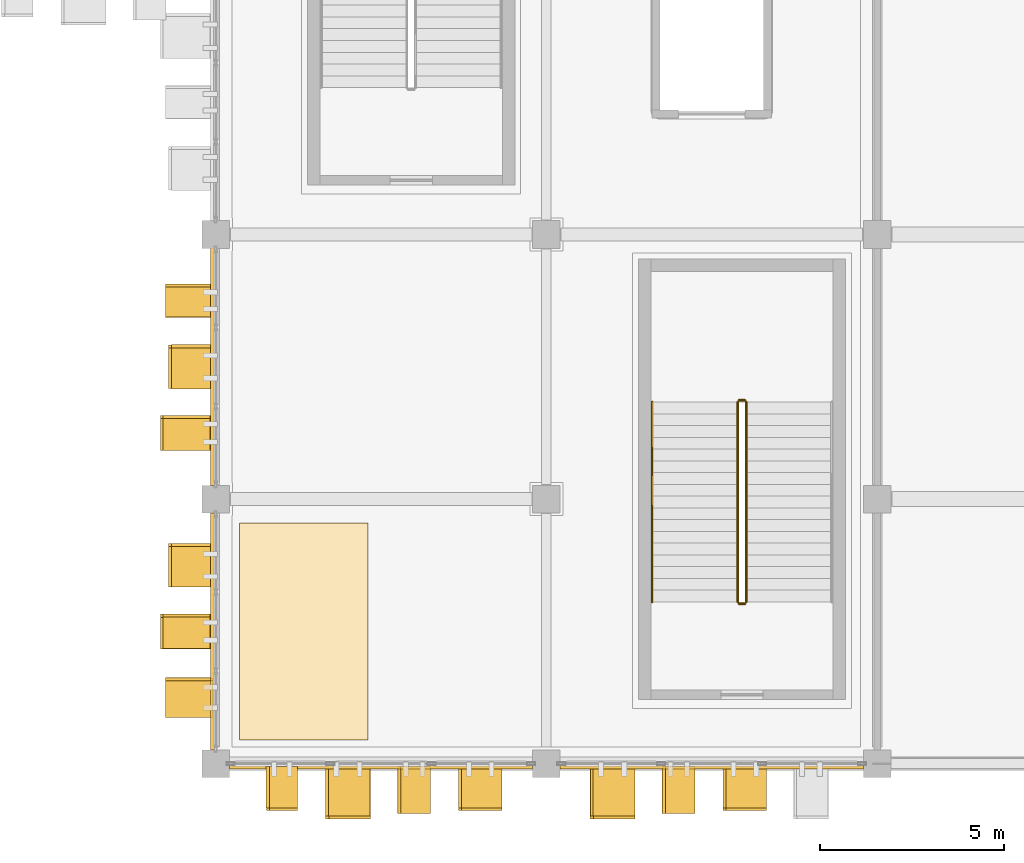
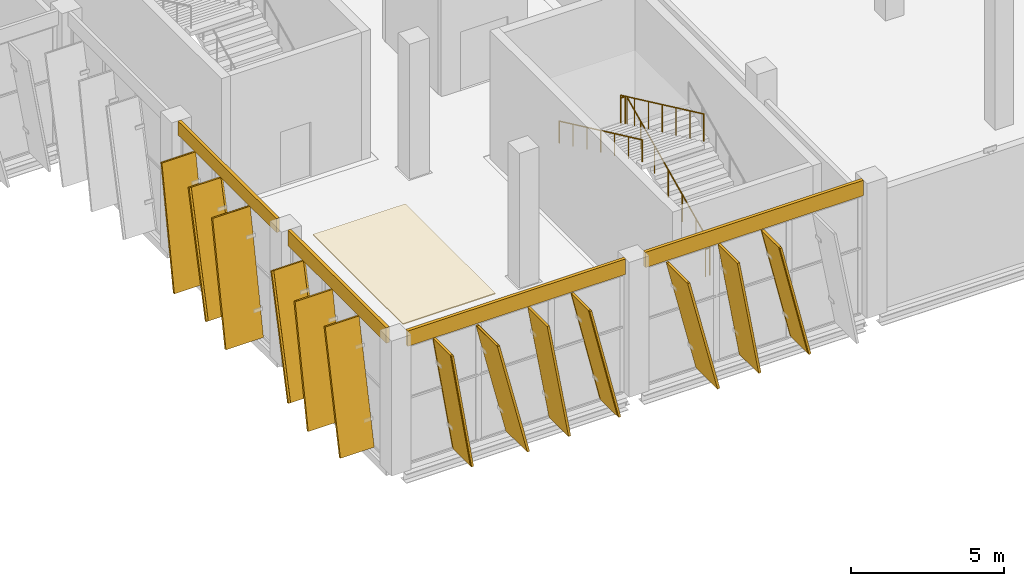
# One storey, part 164 of 189: 18 coverings, 13 shading devices, 5 railings.
"""IFC4 building model written with IfcOpenShell, lengths in metres."""

import ifcopenshell
import ifcopenshell.guid

model = None  # the IFC model being written
_history = None  # IfcOwnerHistory: only IFC2X3 demands one
_inside = {}  # id of a spatial element -> (the spatial element, [elements in it])
_under = {}  # id of a project, library or spatial element -> (it, [spatial elements below it])
_declared = {}  # id of a project -> (the project, [libraries it declares])
_typed = {}  # id of a type object -> (the type object, [elements of that type])
_made_of = {}  # id of a material, layer set ... -> (it, [elements and type objects made of it])


def new_model(schema):
    """Start an empty IFC model of exactly this schema.

    Asked for "IFC4X3", IfcOpenShell would pick the latest addendum, in which some entities
    have other attributes; the version numbers below select the first issue.
    IFC2X3 requires an IfcOwnerHistory on every rooted entity: one is made here for all.
    """
    global model, _history
    if schema == "IFC4X3":
        model = ifcopenshell.file(schema_version=(4, 3, 0, 0))
    else:
        model = ifcopenshell.file(schema=schema)
    _inside.clear()
    _under.clear()
    _declared.clear()
    _typed.clear()
    _made_of.clear()
    _history = None
    if model.schema == "IFC2X3":
        org = make("IfcOrganization", Name="unknown")
        user = make(
            "IfcPersonAndOrganization",
            ThePerson=make("IfcPerson", FamilyName="unknown"),
            TheOrganization=org,
        )
        app = make(
            "IfcApplication",
            ApplicationDeveloper=org,
            Version="unknown",
            ApplicationFullName="unknown",
            ApplicationIdentifier="unknown",
        )
        _history = make(
            "IfcOwnerHistory",
            OwningUser=user,
            OwningApplication=app,
            ChangeAction="ADDED",
            CreationDate=0,
        )
    return model


def make(cls, **values):
    """One entity of the class cls with the attributes given. An attribute that is None is left unset."""
    return model.create_entity(
        cls, **{name: value for name, value in values.items() if value is not None}
    )


def rooted(cls, **values):
    """An entity with a GlobalId (a new one), such as an element, a storey or a relation."""
    return make(cls, GlobalId=ifcopenshell.guid.new(), OwnerHistory=_history, **values)


def si_unit(unit_type, name, prefix=None):
    """IfcSIUnit, for example si_unit("LENGTHUNIT", "METRE", prefix="MILLI")."""
    return make("IfcSIUnit", UnitType=unit_type, Prefix=prefix, Name=name)


def assignment(units):
    """IfcUnitAssignment: the units of a project."""
    return None if units is None else make("IfcUnitAssignment", Units=units)


def point(xyz):
    """IfcCartesianPoint."""
    return None if xyz is None else make("IfcCartesianPoint", Coordinates=xyz)


def direction(xyz):
    """IfcDirection."""
    return None if xyz is None else make("IfcDirection", DirectionRatios=xyz)


def frame(location, z_axis=None, x_axis=None):
    """IfcAxis2Placement3D, a coordinate frame: its origin and axes. An axis left out is left unset."""
    return make(
        "IfcAxis2Placement3D",
        Location=point(location),
        Axis=direction(z_axis),
        RefDirection=direction(x_axis),
    )


def frame_2d(location, x_axis=None):
    """IfcAxis2Placement2D, a coordinate frame in the plane: its origin and x axis."""
    return make(
        "IfcAxis2Placement2D", Location=point(location), RefDirection=direction(x_axis)
    )


def origin():
    """The frame at (0, 0, 0) with its axes left unset."""
    return frame((0.0, 0.0, 0.0))


def origin_2d():
    """The frame at (0, 0) in the plane with its x axis left unset."""
    return frame_2d((0.0, 0.0))


def place(relative_to, where):
    """IfcLocalPlacement: puts the frame where relative to a parent placement (None: the world)."""
    return make(
        "IfcLocalPlacement", PlacementRelTo=relative_to, RelativePlacement=where
    )


def context(
    kind, dimensions, precision=None, world=None, true_north=None, identifier=None
):
    """IfcGeometricRepresentationContext, for example the 3D "Model" context."""
    return make(
        "IfcGeometricRepresentationContext",
        ContextIdentifier=identifier,
        ContextType=kind,
        CoordinateSpaceDimension=dimensions,
        Precision=precision,
        WorldCoordinateSystem=world,
        TrueNorth=true_north,
    )


def subcontext(parent, identifier, kind, view, scale=None):
    """IfcGeometricRepresentationSubContext, for example "Body" below "Model"."""
    return make(
        "IfcGeometricRepresentationSubContext",
        ContextIdentifier=identifier,
        ContextType=kind,
        ParentContext=parent,
        TargetScale=scale,
        TargetView=view,
    )


def project(units=None, contexts=None):
    """IfcProject with its units and contexts."""
    return rooted(
        "IfcProject",
        Name="project",
        RepresentationContexts=contexts,
        UnitsInContext=assignment(units),
    )


def spatial(cls, under=None, at=None, **own):
    """A site, building, storey or space (cls), placed at a placement, below another one or the project."""
    s = rooted(cls, ObjectPlacement=at, **own)
    if under is not None:
        _under.setdefault(under.id(), (under, []))[1].append(s)
    return s


def polyline(points):
    """IfcPolyline through the points."""
    return make("IfcPolyline", Points=[point(p) for p in points])


def profile(cls, at=None, kind="AREA", **sizes):
    """A parametric profile (cls). Its sizes go by their IFC names, for example OverallWidth=200.0."""
    return make(cls, ProfileType=kind, Position=at, **sizes)


def rectangle(**sizes):
    """IfcRectangleProfileDef."""
    return profile("IfcRectangleProfileDef", **sizes)


def circle(**sizes):
    """IfcCircleProfileDef."""
    return profile("IfcCircleProfileDef", **sizes)


def outline(outer, holes=None, kind="AREA"):
    """IfcArbitraryClosedProfileDef: a profile drawn as a closed curve; with holes, ...WithVoids."""
    if holes is None:
        return make("IfcArbitraryClosedProfileDef", ProfileType=kind, OuterCurve=outer)
    return make(
        "IfcArbitraryProfileDefWithVoids",
        ProfileType=kind,
        OuterCurve=outer,
        InnerCurves=holes,
    )


def extrude(swept, where, along, depth):
    """IfcExtrudedAreaSolid: the profile swept, set in the frame where, extruded along a direction by depth."""
    return make(
        "IfcExtrudedAreaSolid",
        SweptArea=swept,
        Position=where,
        ExtrudedDirection=direction(along),
        Depth=depth,
    )


def shape(context_of_items, identifier, shape_type, items):
    """IfcShapeRepresentation: the items that make up one representation, for example the "Body"."""
    return make(
        "IfcShapeRepresentation",
        ContextOfItems=context_of_items,
        RepresentationIdentifier=identifier,
        RepresentationType=shape_type,
        Items=items,
    )


def material(Name=None, Category=None):
    """IfcMaterial."""
    return make("IfcMaterial", Name=Name, Category=Category)


def layer(
    of_material, thickness, ventilated=None, Name=None, Category=None, Priority=None
):
    """IfcMaterialLayer: one layer of a wall or slab, of a material (None: an air gap)."""
    return make(
        "IfcMaterialLayer",
        Material=of_material,
        LayerThickness=thickness,
        IsVentilated=ventilated,
        Name=Name,
        Category=Category,
        Priority=Priority,
    )


def layer_set(layers, Name=None):
    """IfcMaterialLayerSet."""
    return make("IfcMaterialLayerSet", MaterialLayers=layers, LayerSetName=Name)


def material_profile(
    of_material, cross_section, Name=None, Category=None, Priority=None
):
    """IfcMaterialProfile: a cross section and its material."""
    return make(
        "IfcMaterialProfile",
        Name=Name,
        Material=of_material,
        Profile=cross_section,
        Priority=Priority,
        Category=Category,
    )


def profile_set(profiles, Name=None, composite=None):
    """IfcMaterialProfileSet."""
    return make(
        "IfcMaterialProfileSet",
        Name=Name,
        MaterialProfiles=profiles,
        CompositeProfile=composite,
    )


def made_of(thing, what):
    """Note that an element or type object is made of a material, layer set ...; save() writes the relation."""
    if what is not None:
        _made_of.setdefault(what.id(), (what, []))[1].append(thing)
    return thing


def type_object(cls, material=None, **own):
    """A type object (cls), such as IfcWallType, which elements share."""
    return made_of(rooted(cls, **own), material)


def element(
    cls,
    number,
    at=None,
    inside=None,
    cuts=None,
    type_object=None,
    material=None,
    context=None,
    identifier="Body",
    shape_type=None,
    held_by="IfcProductDefinitionShape",
    body=None,
    shapes=None,
    **own,
):
    """One element of the class cls, such as IfcWall. Its Tag is "e" and its number.

    at: its placement. inside: the storey or other place that contains it. cuts: it is an
    opening in that element (IfcRelVoidsElement). A single representation is given by context,
    identifier, shape_type and body (its items); several are given by shapes. held_by: the class
    of the entity that holds the representations. save() writes the other relations.
    """
    e = rooted(cls, Tag="e%d" % number, ObjectPlacement=at, **own)
    if body is not None:
        shapes = [shape(context, identifier, shape_type, body)]
    if shapes is not None:
        e.Representation = make(held_by, Representations=shapes)
    if inside is not None:
        _inside.setdefault(inside.id(), (inside, []))[1].append(e)
    if cuts is not None:
        rooted(
            "IfcRelVoidsElement", RelatingBuildingElement=cuts, RelatedOpeningElement=e
        )
    if type_object is not None:
        _typed.setdefault(type_object.id(), (type_object, []))[1].append(e)
    return made_of(e, material)


def aggregate(whole, parts):
    """IfcRelAggregates: a whole, such as a stair, and the parts it consists of."""
    return rooted("IfcRelAggregates", RelatingObject=whole, RelatedObjects=parts)


def save(model, path):
    """Write the relations noted so far, then the file.

    IfcRelAggregates (storeys below a building ...), IfcRelContainedInSpatialStructure (elements
    in a storey), IfcRelDefinesByType, IfcRelAssociatesMaterial and IfcRelDeclares: one each for
    every whole, place, type object, material and project.
    """
    for whole, parts in _under.values():
        aggregate(whole, parts)
    for where, things in _inside.values():
        rooted(
            "IfcRelContainedInSpatialStructure",
            RelatedElements=things,
            RelatingStructure=where,
        )
    for kind, things in _typed.values():
        rooted("IfcRelDefinesByType", RelatedObjects=things, RelatingType=kind)
    for what, things in _made_of.values():
        rooted("IfcRelAssociatesMaterial", RelatedObjects=things, RelatingMaterial=what)
    for by, libraries in _declared.values():
        rooted("IfcRelDeclares", RelatingContext=by, RelatedDefinitions=libraries)
    model.write(path)


model = new_model("IFC4")

# Units and contexts
model_context = context("Model", 3, precision=1e-05, world=origin(), true_north=direction((0.0, 1.0)))
body_context = subcontext(model_context, "Body", "Model", "MODEL_VIEW")
ifc_project = project(units=[si_unit("LENGTHUNIT", "METRE"), si_unit("AREAUNIT", "SQUARE_METRE"), si_unit("VOLUMEUNIT", "CUBIC_METRE"), si_unit("PLANEANGLEUNIT", "RADIAN"), si_unit("MASSUNIT", "GRAM", prefix="KILO")], contexts=[model_context])

# Site, building, storey
site_placement = place(None, origin())
site = spatial("IfcSite", under=ifc_project, at=site_placement, CompositionType="ELEMENT")
building_placement = place(site_placement, origin())
building = spatial("IfcBuilding", under=site, at=building_placement, Name="Celestram Park Convention Centre", CompositionType="ELEMENT")
storey_placement = place(building_placement, frame((0.0, 0.0, 5.39990234375)))
storey = spatial("IfcBuildingStorey", under=building, at=storey_placement, Name="L01", CompositionType="ELEMENT", Elevation=5.39990234375)

# Coverings
ifc_material_1 = material(Name="Anodised Bronze Aluminium Spandrel Cladding", Category="aluminium")
ifc_layer_1 = layer(ifc_material_1, 0.050048828125)
ifc_layer_set_1 = layer_set([ifc_layer_1], Name="Anodised Bronze Aluminium Spandrel Cladding")
covering_type_1 = type_object("IfcCoveringType", Name="ARC-COV-CLD060", PredefinedType="CLADDING", material=ifc_layer_set_1)
covering_1_placement = place(storey_placement, frame((143.919921875, 3.60009765625, 4.7841796875), z_axis=(0.0, 0.0, 1.0), x_axis=(0.0, 1.0, 0.0)))
element("IfcCovering", 1, at=covering_1_placement, inside=storey, type_object=covering_type_1, Name="Bronze spandrel cladding CL-L01-038", PredefinedType="CLADDING", context=body_context, shape_type="SweptSolid", body=[
    extrude(rectangle(XDim=6.4541015625, YDim=0.1201171875, at=origin_2d()), origin(), (0.0, 0.0, 1.0), 0.615966796875),
])
covering_2_placement = place(storey_placement, frame((143.919921875, 10.800048828125, 4.840087890625), z_axis=(0.0, 0.0, 1.0), x_axis=(0.0, 1.0, 0.0)))
element("IfcCovering", 2, at=covering_2_placement, inside=storey, type_object=covering_type_1, Name="Bronze spandrel cladding CL-L01-039", PredefinedType="CLADDING", context=body_context, shape_type="SweptSolid", body=[
    extrude(rectangle(XDim=6.4541015625, YDim=0.1201171875, at=origin_2d()), origin(), (0.0, 0.0, 1.0), 0.56005859375),
])
for number, where, z_axis, x_axis, name in (
    (3, (157.5, -0.080078125, 4.7841796875), (0.0, 0.0, 1.0), (-1.0, 0.0, 0.0), "Bronze spandrel cladding CL-L01-111"),
    (4, (148.5, -0.080078125, 4.7841796875), (0.0, 0.0, 1.0), (-1.0, 0.0, 0.0), "Bronze spandrel cladding CL-L01-112"),
):
    element("IfcCovering", number, at=place(storey_placement, frame(where, z_axis=z_axis, x_axis=x_axis)), inside=storey, type_object=covering_type_1, Name=name, PredefinedType="CLADDING", context=body_context, shape_type="SweptSolid", body=[
        extrude(rectangle(XDim=8.25390625, YDim=0.1201171875, at=origin_2d()), origin(), (0.0, 0.0, 1.0), 0.615966796875),
    ])
ifc_material_2 = material(Name="Perforated Acoustic Mineral-Fibre Baffle Ceiling", Category="gypsum")
ifc_layer_2 = layer(ifc_material_2, 0.0400390625)
ifc_layer_set_2 = layer_set([ifc_layer_2], Name="Perforated Acoustic Mineral-Fibre Baffle Ceiling")
covering_type_2 = type_object("IfcCoveringType", Name="ARC-COV-CLG040", PredefinedType="CEILING", material=ifc_layer_set_2)
covering_3_placement = place(storey_placement, frame((0.0, 0.0, 5.080078125)))
element("IfcCovering", 5, at=covering_3_placement, inside=storey, type_object=covering_type_2, Name="Goods Lift LG-02 Service Lobby L01 acoustic baffle ceiling", PredefinedType="CEILING", context=body_context, shape_type="SweptSolid", body=[
    extrude(outline(polyline([(144.64990234375, 0.64990234375), (148.14990234375, 0.64990234375), (148.14990234375, 6.550048828125), (144.64990234375, 6.550048828125), (144.64990234375, 0.64990234375)])), origin(), (0.0, 0.0, 1.0), 0.0400390625),
])
ifc_material_3 = material(Name="Timber-Toned Anodised Aluminium Alloy 6063-T6", Category="wood")
ifc_material_profile_1 = material_profile(ifc_material_3, rectangle(XDim=1.1201171875, YDim=0.090087890625, at=origin_2d()), Name="REED1120X90")
ifc_profile_set_1 = profile_set([ifc_material_profile_1], Name="Timber-Toned Anodised Aluminium Alloy 6063-T6")
covering_type_3 = type_object("IfcCoveringType", Name="ARC-COV-FIN1120", PredefinedType="CLADDING", material=ifc_profile_set_1)
covering_4_placement = place(storey_placement, frame((143.360107421875, 4.84912109375, 0.06982421875), z_axis=(0.0, 0.231766325176, 0.972771489361), x_axis=(-1.0, 0.0, 0.0)))
element("IfcCovering", 6, at=covering_4_placement, inside=storey, type_object=covering_type_3, Name="Leaning timber-toned reed fin RFN-L01-0130", PredefinedType="CLADDING", context=body_context, shape_type="SweptSolid", body=[
    extrude(rectangle(XDim=1.1201171875, YDim=0.090087890625, at=origin_2d()), origin(), (0.0, 0.0, 1.0), 4.75390625),
])
covering_5_placement = place(storey_placement, frame((143.360107421875, 10.24267578125, 0.070556640625), z_axis=(0.0, 0.231760054376, 0.972772983381), x_axis=(-1.0, 0.0, 0.0)))
element("IfcCovering", 7, at=covering_5_placement, inside=storey, type_object=covering_type_3, Name="Leaning timber-toned reed fin RFN-L01-0132", PredefinedType="CLADDING", context=body_context, shape_type="SweptSolid", body=[
    extrude(rectangle(XDim=1.1201171875, YDim=0.090087890625, at=origin_2d()), origin(), (0.0, 0.0, 1.0), 4.809814453125),
])
for number, where, z_axis, x_axis, name in (
    (8, (158.950927734375, -0.639892578125, 0.06982421875), (-0.231766325176, 0.0, 0.972771489361), (0.0, -1.0, 0.0), "Leaning timber-toned reed fin RFN-L01-0341"),
    (9, (151.7509765625, -0.639892578125, 0.06982421875), (-0.231766325176, 0.0, 0.972771489361), (0.0, -1.0, 0.0), "Leaning timber-toned reed fin RFN-L01-0344"),
    (10, (146.179931640625, -0.639892578125, 0.03564453125), (-0.159866942828, 0.0, 0.987138572132), (0.0, -1.0, 0.0), "Leaning timber-toned reed fin RFN-L01-0347"),
):
    element("IfcCovering", number, at=place(storey_placement, frame(where, z_axis=z_axis, x_axis=x_axis)), inside=storey, type_object=covering_type_3, Name=name, PredefinedType="CLADDING", context=body_context, shape_type="SweptSolid", body=[
        extrude(rectangle(XDim=1.1201171875, YDim=0.090087890625, at=origin_2d()), origin(), (0.0, 0.0, 1.0), 4.75390625),
    ])
ifc_material_profile_2 = material_profile(ifc_material_3, rectangle(XDim=1.280029296875, YDim=0.090087890625, at=origin_2d()), Name="REED1280X90")
ifc_profile_set_2 = profile_set([ifc_material_profile_2], Name="Timber-Toned Anodised Aluminium Alloy 6063-T6")
covering_type_4 = type_object("IfcCoveringType", Name="ARC-COV-FIN1280", PredefinedType="CLADDING", material=ifc_profile_set_2)
covering_6_placement = place(storey_placement, frame((143.280029296875, 1.3017578125, 0.057861328125), z_axis=(0.0, 0.209627286664, 0.977781366506), x_axis=(-1.0, 0.0, 0.0)))
element("IfcCovering", 11, at=covering_6_placement, inside=storey, type_object=covering_type_4, Name="Leaning timber-toned reed fin RFN-L01-0128", PredefinedType="CLADDING", context=body_context, shape_type="SweptSolid", body=[
    extrude(rectangle(XDim=1.280029296875, YDim=0.090087890625, at=origin_2d()), origin(), (0.0, 0.0, 1.0), 4.754150390625),
])
covering_7_placement = place(storey_placement, frame((143.280029296875, 12.190673828125, 0.040283203125), z_axis=(0.0, 0.170240052999, 0.985402620432), x_axis=(-1.0, 0.0, 0.0)))
element("IfcCovering", 12, at=covering_7_placement, inside=storey, type_object=covering_type_4, Name="Leaning timber-toned reed fin RFN-L01-0133", PredefinedType="CLADDING", context=body_context, shape_type="SweptSolid", body=[
    extrude(rectangle(XDim=1.280029296875, YDim=0.090087890625, at=origin_2d()), origin(), (0.0, 0.0, 1.0), 4.81005859375),
])
for number, where, z_axis, x_axis, name in (
    (13, (157.004638671875, -0.719970703125, 0.039794921875), (-0.170242256857, 0.0, 0.985402239687), (0.0, -1.0, 0.0), "Leaning timber-toned reed fin RFN-L01-0342"),
    (14, (149.8046875, -0.719970703125, 0.039794921875), (-0.170242256857, 0.0, 0.985402239687), (0.0, -1.0, 0.0), "Leaning timber-toned reed fin RFN-L01-0345"),
):
    element("IfcCovering", number, at=place(storey_placement, frame(where, z_axis=z_axis, x_axis=x_axis)), inside=storey, type_object=covering_type_4, Name=name, PredefinedType="CLADDING", context=body_context, shape_type="SweptSolid", body=[
        extrude(rectangle(XDim=1.280029296875, YDim=0.090087890625, at=origin_2d()), origin(), (0.0, 0.0, 1.0), 4.75390625),
    ])
ifc_material_profile_3 = material_profile(ifc_material_3, rectangle(XDim=1.419921875, YDim=0.090087890625, at=origin_2d()), Name="REED1420X90")
ifc_profile_set_3 = profile_set([ifc_material_profile_3], Name="Timber-Toned Anodised Aluminium Alloy 6063-T6")
covering_type_5 = type_object("IfcCoveringType", Name="ARC-COV-FIN1420", PredefinedType="CLADDING", material=ifc_profile_set_3)
covering_8_placement = place(storey_placement, frame((143.2099609375, 3.1708984375, 0.044189453125), z_axis=(0.0, 0.180516672672, 0.983571924613), x_axis=(-1.0, 0.0, 0.0)))
element("IfcCovering", 15, at=covering_8_placement, inside=storey, type_object=covering_type_5, Name="Leaning timber-toned reed fin RFN-L01-0129", PredefinedType="CLADDING", context=body_context, shape_type="SweptSolid", body=[
    extrude(rectangle(XDim=1.419921875, YDim=0.090087890625, at=origin_2d()), origin(), (0.0, 0.0, 1.0), 4.75390625),
])
covering_9_placement = place(storey_placement, frame((143.2099609375, 8.56591796875, 0.044677734375), z_axis=(0.0, 0.180493192635, 0.983576233656), x_axis=(-1.0, 0.0, 0.0)))
element("IfcCovering", 16, at=covering_9_placement, inside=storey, type_object=covering_type_5, Name="Leaning timber-toned reed fin RFN-L01-0131", PredefinedType="CLADDING", context=body_context, shape_type="SweptSolid", body=[
    extrude(rectangle(XDim=1.419921875, YDim=0.090087890625, at=origin_2d()), origin(), (0.0, 0.0, 1.0), 4.81005859375),
])
for number, where, z_axis, x_axis, name in (
    (17, (155.366943359375, -0.7900390625, 0.07373046875), (-0.238545978049, 0.0, 0.971131204502), (0.0, -1.0, 0.0), "Leaning timber-toned reed fin RFN-L01-0343"),
    (18, (148.1669921875, -0.7900390625, 0.07373046875), (-0.238545978049, 0.0, 0.971131204502), (0.0, -1.0, 0.0), "Leaning timber-toned reed fin RFN-L01-0346"),
):
    element("IfcCovering", number, at=place(storey_placement, frame(where, z_axis=z_axis, x_axis=x_axis)), inside=storey, type_object=covering_type_5, Name=name, PredefinedType="CLADDING", context=body_context, shape_type="SweptSolid", body=[
        extrude(rectangle(XDim=1.419921875, YDim=0.090087890625, at=origin_2d()), origin(), (0.0, 0.0, 1.0), 4.75390625),
    ])

# Shading devices
ifc_material_4 = material(Name="Anodised Bronze Aluminium Alloy 6063-T6", Category="aluminium")
ifc_material_profile_4 = material_profile(ifc_material_4, rectangle(XDim=1.280029296875, YDim=0.080078125, at=origin_2d()), Name="FIN1280X80")
ifc_profile_set_4 = profile_set([ifc_material_profile_4], Name="Anodised Bronze Aluminium Alloy 6063-T6")
shading_device_type = type_object("IfcShadingDeviceType", Name="ARC-FIN-BZ1280", PredefinedType="USERDEFINED", material=ifc_profile_set_4)
shading_device_1_placement = place(storey_placement, frame((143.280029296875, 1.3017578125, 0.057861328125), z_axis=(0.0, 0.209627286664, 0.977781366506), x_axis=(-1.0, 0.0, 0.0)))
element("IfcShadingDevice", 19, at=shading_device_1_placement, inside=storey, type_object=shading_device_type, Name="Expressive solar fin FN-L01-0128", ObjectType="SOLAR_FIN", PredefinedType="USERDEFINED", context=body_context, shape_type="SweptSolid", body=[
    extrude(rectangle(XDim=1.280029296875, YDim=0.080078125, at=origin_2d()), origin(), (0.0, 0.0, 1.0), 4.754150390625),
])
for number, where, z_axis, x_axis, name in (
    (20, (143.2099609375, 3.1708984375, 0.044189453125), (0.0, 0.180516672672, 0.983571924613), (-1.0, 0.0, 0.0), "Expressive solar fin FN-L01-0129"),
    (21, (143.360107421875, 4.84912109375, 0.06982421875), (0.0, 0.231766325176, 0.972771489361), (-1.0, 0.0, 0.0), "Expressive solar fin FN-L01-0130"),
):
    element("IfcShadingDevice", number, at=place(storey_placement, frame(where, z_axis=z_axis, x_axis=x_axis)), inside=storey, type_object=shading_device_type, Name=name, ObjectType="SOLAR_FIN", PredefinedType="USERDEFINED", context=body_context, shape_type="SweptSolid", body=[
        extrude(rectangle(XDim=1.280029296875, YDim=0.080078125, at=origin_2d()), origin(), (0.0, 0.0, 1.0), 4.75390625),
    ])
shading_device_2_placement = place(storey_placement, frame((143.2099609375, 8.56591796875, 0.044677734375), z_axis=(0.0, 0.180493192635, 0.983576233656), x_axis=(-1.0, 0.0, 0.0)))
element("IfcShadingDevice", 22, at=shading_device_2_placement, inside=storey, type_object=shading_device_type, Name="Expressive solar fin FN-L01-0131", ObjectType="SOLAR_FIN", PredefinedType="USERDEFINED", context=body_context, shape_type="SweptSolid", body=[
    extrude(rectangle(XDim=1.280029296875, YDim=0.080078125, at=origin_2d()), origin(), (0.0, 0.0, 1.0), 4.81005859375),
])
shading_device_3_placement = place(storey_placement, frame((143.360107421875, 10.24267578125, 0.070556640625), z_axis=(0.0, 0.231760054376, 0.972772983381), x_axis=(-1.0, 0.0, 0.0)))
element("IfcShadingDevice", 23, at=shading_device_3_placement, inside=storey, type_object=shading_device_type, Name="Expressive solar fin FN-L01-0132", ObjectType="SOLAR_FIN", PredefinedType="USERDEFINED", context=body_context, shape_type="SweptSolid", body=[
    extrude(rectangle(XDim=1.280029296875, YDim=0.080078125, at=origin_2d()), origin(), (0.0, 0.0, 1.0), 4.809814453125),
])
shading_device_4_placement = place(storey_placement, frame((143.280029296875, 12.190673828125, 0.040283203125), z_axis=(0.0, 0.170240052999, 0.985402620432), x_axis=(-1.0, 0.0, 0.0)))
element("IfcShadingDevice", 24, at=shading_device_4_placement, inside=storey, type_object=shading_device_type, Name="Expressive solar fin FN-L01-0133", ObjectType="SOLAR_FIN", PredefinedType="USERDEFINED", context=body_context, shape_type="SweptSolid", body=[
    extrude(rectangle(XDim=1.280029296875, YDim=0.080078125, at=origin_2d()), origin(), (0.0, 0.0, 1.0), 4.81005859375),
])
for number, where, z_axis, x_axis, name in (
    (25, (158.950927734375, -0.639892578125, 0.06982421875), (-0.231766325176, 0.0, 0.972771489361), (0.0, -1.0, 0.0), "Expressive solar fin FN-L01-0341"),
    (26, (157.004638671875, -0.719970703125, 0.039794921875), (-0.170242256857, 0.0, 0.985402239687), (0.0, -1.0, 0.0), "Expressive solar fin FN-L01-0342"),
    (27, (155.366943359375, -0.7900390625, 0.07373046875), (-0.238545978049, 0.0, 0.971131204502), (0.0, -1.0, 0.0), "Expressive solar fin FN-L01-0343"),
    (28, (151.7509765625, -0.639892578125, 0.06982421875), (-0.231766325176, 0.0, 0.972771489361), (0.0, -1.0, 0.0), "Expressive solar fin FN-L01-0344"),
    (29, (149.8046875, -0.719970703125, 0.039794921875), (-0.170242256857, 0.0, 0.985402239687), (0.0, -1.0, 0.0), "Expressive solar fin FN-L01-0345"),
    (30, (148.1669921875, -0.7900390625, 0.07373046875), (-0.238545978049, 0.0, 0.971131204502), (0.0, -1.0, 0.0), "Expressive solar fin FN-L01-0346"),
    (31, (146.179931640625, -0.639892578125, 0.03564453125), (-0.159866942828, 0.0, 0.987138572132), (0.0, -1.0, 0.0), "Expressive solar fin FN-L01-0347"),
):
    element("IfcShadingDevice", number, at=place(storey_placement, frame(where, z_axis=z_axis, x_axis=x_axis)), inside=storey, type_object=shading_device_type, Name=name, ObjectType="SOLAR_FIN", PredefinedType="USERDEFINED", context=body_context, shape_type="SweptSolid", body=[
        extrude(rectangle(XDim=1.280029296875, YDim=0.080078125, at=origin_2d()), origin(), (0.0, 0.0, 1.0), 4.75390625),
    ])

# Railings
ifc_material_5 = material(Name="Stainless Steel AISI 316L & Laminated Glass", Category="steel")
ifc_layer_3 = layer(ifc_material_5, 0.06005859375)
ifc_layer_set_3 = layer_set([ifc_layer_3], Name="Stainless Steel AISI 316L & Laminated Glass")
railing_type_1 = type_object("IfcRailingType", Name="ARC-RL-GRD1120", PredefinedType="GUARDRAIL", material=ifc_layer_set_3)
railing_1_placement = place(storey_placement, frame((158.43603515625, 4.39990234375, 0.150146484375)))
element("IfcRailing", 32, at=railing_1_placement, inside=storey, type_object=railing_type_1, Name="L01 ST-21 stair guard 1", PredefinedType="GUARDRAIL", context=body_context, shape_type="SweptSolid", body=[
    extrude(circle(Radius=0.02392578125, at=origin_2d()), frame((0.0, 0.0, 1.09619140625), z_axis=(0.0, 0.905461375974, 0.424428670827), x_axis=(-1.0, 0.0, 0.0)), (0.0, 0.0, 1.0), 6.00830078125),
    extrude(circle(Radius=0.02099609375, at=origin_2d()), origin(), (0.0, 0.0, 1.0), 1.072021484375),
    extrude(circle(Radius=0.02099609375, at=origin_2d()), frame((0.0, 0.90673828125, 0.425048828125)), (0.0, 0.0, 1.0), 1.072021484375),
    extrude(circle(Radius=0.02099609375, at=origin_2d()), frame((0.0, 1.8134765625, 0.85009765625)), (0.0, 0.0, 1.0), 1.072021484375),
    extrude(circle(Radius=0.02099609375, at=origin_2d()), frame((0.0, 2.72021484375, 1.27490234375)), (0.0, 0.0, 1.0), 1.072021484375),
    extrude(circle(Radius=0.02099609375, at=origin_2d()), frame((0.0, 3.626708984375, 1.699951171875)), (0.0, 0.0, 1.0), 1.072021484375),
    extrude(circle(Radius=0.02099609375, at=origin_2d()), frame((0.0, 4.533447265625, 2.125)), (0.0, 0.0, 1.0), 1.072021484375),
    extrude(circle(Radius=0.02099609375, at=origin_2d()), frame((0.0, 5.440185546875, 2.550048828125)), (0.0, 0.0, 1.0), 1.072021484375),
])
railing_2_placement = place(storey_placement, frame((158.39990234375, 9.889892578125, 2.7001953125)))
element("IfcRailing", 33, at=railing_2_placement, inside=storey, type_object=railing_type_1, Name="L01 ST-21 stair guard 2", PredefinedType="GUARDRAIL", context=body_context, shape_type="SweptSolid", body=[
    extrude(circle(Radius=0.02392578125, at=origin_2d()), frame((0.0, 0.0, 1.09619140625), z_axis=(-1.0, 0.0, 0.0), x_axis=(0.0, -1.0, 0.0)), (0.0, 0.0, 1.0), 0.159912109375),
    extrude(circle(Radius=0.02099609375, at=origin_2d()), origin(), (0.0, 0.0, 1.0), 1.072021484375),
    extrude(circle(Radius=0.02099609375, at=origin_2d()), frame((-0.159912109375, 0.0, 0.0)), (0.0, 0.0, 1.0), 1.072021484375),
])
railing_3_placement = place(storey_placement, frame((158.2041015625, 9.840087890625, 2.85009765625)))
element("IfcRailing", 34, at=railing_3_placement, inside=storey, type_object=railing_type_1, Name="L01 ST-21 stair guard 3", PredefinedType="GUARDRAIL", context=body_context, shape_type="SweptSolid", body=[
    extrude(circle(Radius=0.02392578125, at=origin_2d()), frame((0.0, 0.0, 1.09619140625), z_axis=(0.0, -0.905461375974, 0.424428670827), x_axis=(1.0, 0.0, 0.0)), (0.0, 0.0, 1.0), 6.00830078125),
    extrude(circle(Radius=0.02099609375, at=origin_2d()), origin(), (0.0, 0.0, 1.0), 1.072021484375),
    extrude(circle(Radius=0.02099609375, at=origin_2d()), frame((0.0, -0.90673828125, 0.425048828125)), (0.0, 0.0, 1.0), 1.072021484375),
    extrude(circle(Radius=0.02099609375, at=origin_2d()), frame((0.0, -1.8134765625, 0.85009765625)), (0.0, 0.0, 1.0), 1.072021484375),
    extrude(circle(Radius=0.02099609375, at=origin_2d()), frame((0.0, -2.72021484375, 1.27490234375)), (0.0, 0.0, 1.0), 1.072021484375),
    extrude(circle(Radius=0.02099609375, at=origin_2d()), frame((0.0, -3.626708984375, 1.699951171875)), (0.0, 0.0, 1.0), 1.072021484375),
    extrude(circle(Radius=0.02099609375, at=origin_2d()), frame((0.0, -4.533447265625, 2.125)), (0.0, 0.0, 1.0), 1.072021484375),
    extrude(circle(Radius=0.02099609375, at=origin_2d()), frame((0.0, -5.440185546875, 2.550048828125)), (0.0, 0.0, 1.0), 1.072021484375),
])
railing_4_placement = place(storey_placement, frame((158.39990234375, 4.35009765625, 0.0)))
element("IfcRailing", 35, at=railing_4_placement, inside=storey, type_object=railing_type_1, Name="L01 ST-21 stair guard 4", PredefinedType="GUARDRAIL", context=body_context, shape_type="SweptSolid", body=[
    extrude(circle(Radius=0.02392578125, at=origin_2d()), frame((0.0, 0.0, 1.09619140625), z_axis=(-1.0, 0.0, 0.0), x_axis=(0.0, -1.0, 0.0)), (0.0, 0.0, 1.0), 0.159912109375),
    extrude(circle(Radius=0.02099609375, at=origin_2d()), origin(), (0.0, 0.0, 1.0), 1.072021484375),
    extrude(circle(Radius=0.02099609375, at=origin_2d()), frame((-0.159912109375, 0.0, 0.0)), (0.0, 0.0, 1.0), 1.072021484375),
])
ifc_material_6 = material(Name="Brushed Stainless Steel AISI 304", Category="steel")
ifc_layer_4 = layer(ifc_material_6, 0.048095703125)
ifc_layer_set_4 = layer_set([ifc_layer_4], Name="Brushed Stainless Steel AISI 304")
railing_type_2 = type_object("IfcRailingType", Name="ARC-RL-HND915", PredefinedType="HANDRAIL", material=ifc_layer_set_4)
railing_5_placement = place(storey_placement, frame((155.8759765625, 9.840087890625, 2.85009765625)))
element("IfcRailing", 36, at=railing_5_placement, inside=storey, type_object=railing_type_2, Name="L01 ST-21 stair handrail 2", PredefinedType="HANDRAIL", context=body_context, shape_type="SweptSolid", body=[
    extrude(circle(Radius=0.02392578125, at=origin_2d()), frame((0.0, 0.0, 0.8759765625), z_axis=(0.0, -0.905461375974, 0.424428670827), x_axis=(1.0, 0.0, 0.0)), (0.0, 0.0, 1.0), 6.00830078125),
    extrude(circle(Radius=0.02099609375, at=origin_2d()), origin(), (0.0, 0.0, 1.0), 0.851806640625),
    extrude(circle(Radius=0.02099609375, at=origin_2d()), frame((0.0, -0.90673828125, 0.425048828125)), (0.0, 0.0, 1.0), 0.851806640625),
    extrude(circle(Radius=0.02099609375, at=origin_2d()), frame((0.0, -1.8134765625, 0.85009765625)), (0.0, 0.0, 1.0), 0.851806640625),
    extrude(circle(Radius=0.02099609375, at=origin_2d()), frame((0.0, -2.72021484375, 1.27490234375)), (0.0, 0.0, 1.0), 0.851806640625),
    extrude(circle(Radius=0.02099609375, at=origin_2d()), frame((0.0, -3.626708984375, 1.699951171875)), (0.0, 0.0, 1.0), 0.851806640625),
    extrude(circle(Radius=0.02099609375, at=origin_2d()), frame((0.0, -4.533447265625, 2.125)), (0.0, 0.0, 1.0), 0.851806640625),
    extrude(circle(Radius=0.02099609375, at=origin_2d()), frame((0.0, -5.440185546875, 2.550048828125)), (0.0, 0.0, 1.0), 0.851806640625),
])

save(model, "model.ifc")
